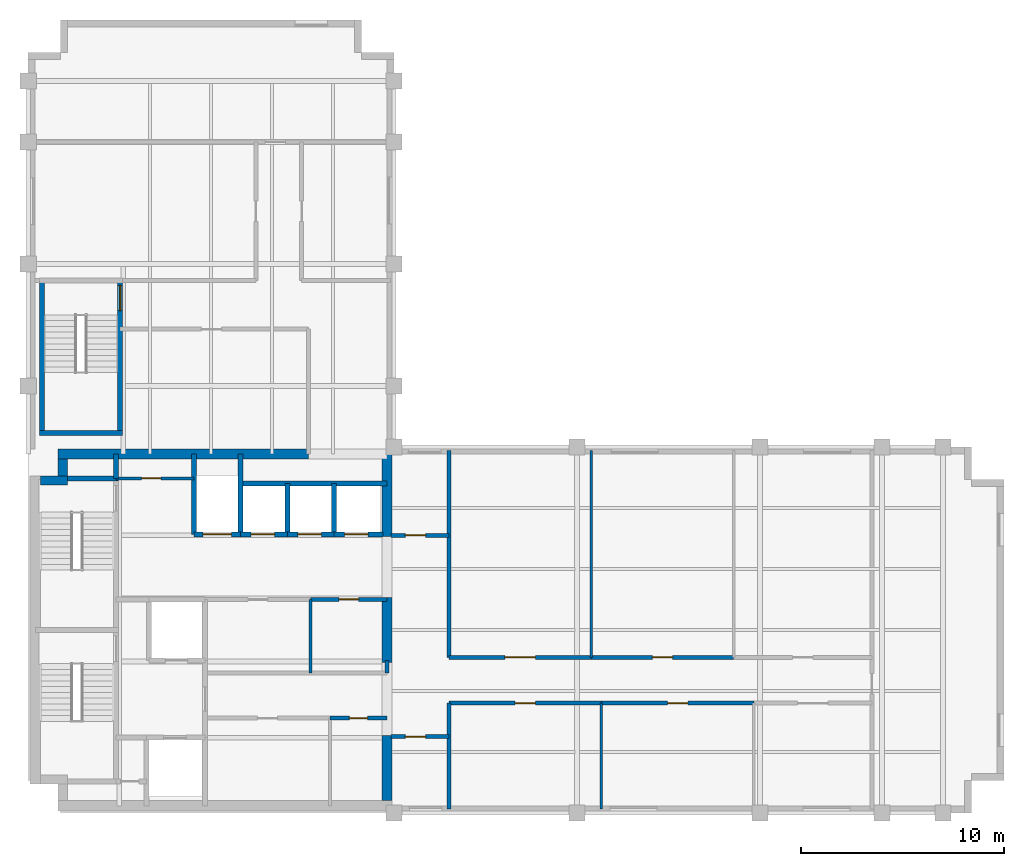
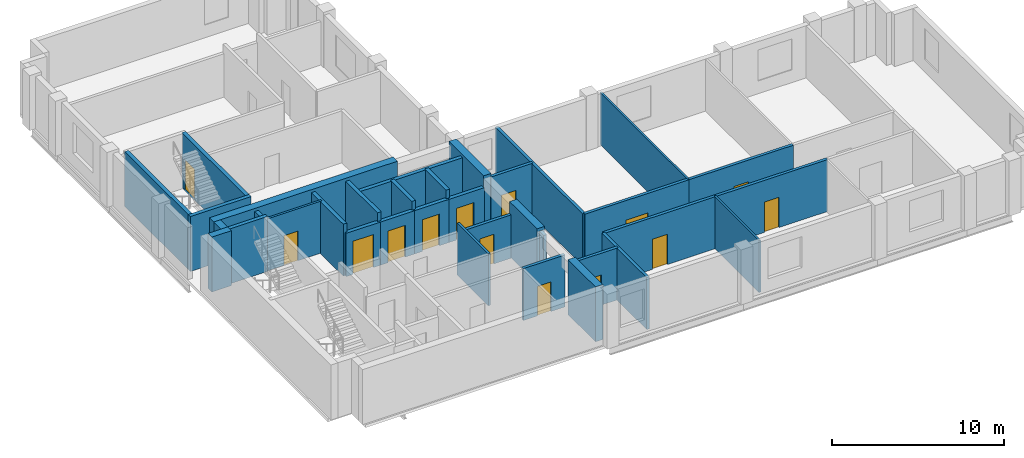
# One storey, part 3 of 6: 35 walls, 14 doors, 14 openings.
"""IFC4 building model written with IfcOpenShell, lengths in metres."""

from ifc_helpers import new_model, si_unit, direction, frame, frame_2d, origin, place, context, subcontext, project, spatial, rectangle, extrude, material, layer, layer_set, type_object, element, fill, save


model = new_model("IFC4")

# Units and contexts
model_context = context("Model", 3, precision=1e-05, world=origin(), true_north=direction((0.0, 1.0)))
body_context = subcontext(model_context, "Body", "Model", "MODEL_VIEW")
ifc_project = project(units=[si_unit("LENGTHUNIT", "METRE"), si_unit("AREAUNIT", "SQUARE_METRE"), si_unit("VOLUMEUNIT", "CUBIC_METRE"), si_unit("PLANEANGLEUNIT", "RADIAN"), si_unit("MASSUNIT", "GRAM", prefix="KILO")], contexts=[model_context])

# Site, building, storey
site_placement = place(None, origin())
site = spatial("IfcSite", under=ifc_project, at=site_placement, CompositionType="ELEMENT")
building_placement = place(site_placement, origin())
building = spatial("IfcBuilding", under=site, at=building_placement, Name="Mawjdan Bourse Tower", CompositionType="ELEMENT")
storey_placement = place(building_placement, frame((0.0, 0.0, 239.10009765625)))
storey = spatial("IfcBuildingStorey", under=building, at=storey_placement, Name="L58", CompositionType="ELEMENT", Elevation=239.10009765625)

# Wall, opening, door
ifc_material_1 = material(Name="Gypsum Fireboard Assembly")
ifc_layer_1 = layer(ifc_material_1, 0.199951171875)
ifc_layer_set_1 = layer_set([ifc_layer_1], Name="Gypsum Fireboard Assembly")
wall_type_1 = type_object("IfcWallType", Name="WL-CMP-200", PredefinedType="PARTITIONING", material=ifc_layer_set_1)
wall_1_placement = place(storey_placement, frame((20.85009765625, 7.659912109375, 0.0), z_axis=(0.0, 0.0, 1.0), x_axis=(1.0, 0.0, 0.0)))
wall_1 = element("IfcWall", 1, at=wall_1_placement, inside=storey, type_object=wall_type_1, Name="L58 Telemetry Control Room North Wall", PredefinedType="PARTITIONING", context=body_context, shape_type="SweptSolid", body=[
    extrude(rectangle(XDim=2.7998046875, YDim=0.199951171875, at=frame_2d((1.39990234375, 0.0))), origin(), (0.0, 0.0, 1.0), 3.68994140625),
])
opening_1_placement = place(wall_1_placement, frame((0.949951171875, 0.0, 0.0)))
opening_1 = element("IfcOpeningElement", 2, at=opening_1_placement, cuts=wall_1, Name="Opening D-L58-14", PredefinedType="OPENING", context=body_context, shape_type="SweptSolid", body=[
    extrude(rectangle(XDim=0.89990234375, YDim=2.10009765625, at=frame_2d((0.449951171875, 1.050048828125))), frame((0.0, 0.10986328125, 0.0), z_axis=(0.0, -1.0, 0.0), x_axis=(1.0, 0.0, 0.0)), (0.0, 0.0, 1.0), 0.219970703125),
])
ifc_material_2 = material(Name="Fire-Rated Steel Access Leaf", Category="steel")
door_type_1 = type_object("IfcDoorType", Name="FD-RSR-0900", OperationType="NOTDEFINED", PredefinedType="TRAPDOOR", material=ifc_material_2)
door_1_placement = place(opening_1_placement, origin())
door_1 = element("IfcDoor", 3, at=door_1_placement, inside=storey, type_object=door_type_1, Name="L58 Telemetry Control Room Door D-L58-14", OperationType="SINGLE_SWING_RIGHT", OverallHeight=2.10009765625, OverallWidth=0.89990234375, PredefinedType="TRAPDOOR", context=body_context, shape_type="SweptSolid", body=[
    extrude(rectangle(XDim=0.89990234375, YDim=2.10009765625, at=frame_2d((0.449951171875, 1.050048828125))), frame((0.0, 0.02490234375, 0.0), z_axis=(0.0, -1.0, 0.0), x_axis=(1.0, 0.0, 0.0)), (0.0, 0.0, 1.0), 0.050048828125),
])
fill(opening_1, door_1)

# Wall
wall_2_placement = place(storey_placement, frame((23.64990234375, 9.8798828125, 0.0), z_axis=(0.0, 0.0, 1.0), x_axis=(0.0, 1.0, 0.0)))
element("IfcWall", 4, at=wall_2_placement, inside=storey, type_object=wall_type_1, Name="L58 Core Restroom East Return", PredefinedType="PARTITIONING", context=body_context, shape_type="SweptSolid", body=[
    extrude(rectangle(XDim=0.6201171875, YDim=0.199951171875, at=frame_2d((0.31005859375, 0.0))), origin(), (0.0, 0.0, 1.0), 3.68994140625),
])

# Wall, opening, door
wall_3_placement = place(storey_placement, frame((19.89990234375, 13.5, 0.0), z_axis=(0.0, 0.0, 1.0), x_axis=(1.0, 0.0, 0.0)))
wall_3 = element("IfcWall", 5, at=wall_3_placement, inside=storey, type_object=wall_type_1, Name="L58 Staff Wellness & Quiet Room North Wall", PredefinedType="PARTITIONING", context=body_context, shape_type="SweptSolid", body=[
    extrude(rectangle(XDim=3.75, YDim=0.199951171875, at=frame_2d((1.875, 0.0))), origin(), (0.0, 0.0, 1.0), 3.072998046875),
])
opening_2_placement = place(wall_3_placement, frame((1.39990234375, 0.0, 0.0)))
opening_2 = element("IfcOpeningElement", 6, at=opening_2_placement, cuts=wall_3, Name="Opening D-L58-16", PredefinedType="OPENING", context=body_context, shape_type="SweptSolid", body=[
    extrude(rectangle(XDim=0.949951171875, YDim=2.10009765625, at=frame_2d((0.47509765625, 1.050048828125))), frame((0.0, 0.10986328125, 0.0), z_axis=(0.0, -1.0, 0.0), x_axis=(1.0, 0.0, 0.0)), (0.0, 0.0, 1.0), 0.219970703125),
])
ifc_material_3 = material(Name="Moisture-Resistant Laminate Timber", Category="wood")
door_type_2 = type_object("IfcDoorType", Name="DR-WET-0950", OperationType="NOTDEFINED", PredefinedType="DOOR", material=ifc_material_3)
door_2_placement = place(opening_2_placement, origin())
door_2 = element("IfcDoor", 7, at=door_2_placement, inside=storey, type_object=door_type_2, Name="L58 Staff Wellness & Quiet Room Door D-L58-16", OperationType="SINGLE_SWING_RIGHT", OverallHeight=2.10009765625, OverallWidth=0.949951171875, PredefinedType="DOOR", context=body_context, shape_type="SweptSolid", body=[
    extrude(rectangle(XDim=0.949951171875, YDim=2.10009765625, at=frame_2d((0.47509765625, 1.050048828125))), frame((0.0, 0.02490234375, 0.0), z_axis=(0.0, -1.0, 0.0), x_axis=(1.0, 0.0, 0.0)), (0.0, 0.0, 1.0), 0.050048828125),
])
fill(opening_2, door_2)

wall_4_placement = place(storey_placement, frame((23.85009765625, 6.75, 0.0), z_axis=(0.0, 0.0, 1.0), x_axis=(1.0, 0.0, 0.0)))
wall_4 = element("IfcWall", 8, at=wall_4_placement, inside=storey, type_object=wall_type_1, Name="L58 West Pocket North Wall", PredefinedType="PARTITIONING", context=body_context, shape_type="SweptSolid", body=[
    extrude(rectangle(XDim=2.849853515625, YDim=0.199951171875, at=frame_2d((1.4248046875, 0.0))), origin(), (0.0, 0.0, 1.0), 3.68994140625),
])
opening_3_placement = place(wall_4_placement, frame((0.699951171875, 0.0, 0.0)))
opening_3 = element("IfcOpeningElement", 9, at=opening_3_placement, cuts=wall_4, Name="Opening D-L58-19", PredefinedType="OPENING", context=body_context, shape_type="SweptSolid", body=[
    extrude(rectangle(XDim=1.0, YDim=2.14990234375, at=frame_2d((0.5, 1.074951171875))), frame((0.0, 0.10986328125, 0.0), z_axis=(0.0, -1.0, 0.0), x_axis=(1.0, 0.0, 0.0)), (0.0, 0.0, 1.0), 0.219970703125),
])
ifc_material_4 = material(Name="Hardwood Acoustic Leaf", Category="wood")
door_type_3 = type_object("IfcDoorType", Name="DR-OFC-1000", OperationType="NOTDEFINED", PredefinedType="DOOR", material=ifc_material_4)
door_3_placement = place(opening_3_placement, origin())
door_3 = element("IfcDoor", 10, at=door_3_placement, inside=storey, type_object=door_type_3, Name="L58 West Pocket Office Door D-L58-19", OperationType="SINGLE_SWING_LEFT", OverallHeight=2.14990234375, OverallWidth=1.0, PredefinedType="DOOR", context=body_context, shape_type="SweptSolid", body=[
    extrude(rectangle(XDim=1.0, YDim=2.14990234375, at=frame_2d((0.5, 1.074951171875))), frame((0.0, 0.02490234375, 0.0), z_axis=(0.0, -1.0, 0.0), x_axis=(1.0, 0.0, 0.0)), (0.0, 0.0, 1.0), 0.050048828125),
])
fill(opening_3, door_3)

wall_5_placement = place(storey_placement, frame((23.85009765625, 16.64990234375, 0.0), z_axis=(0.0, 0.0, 1.0), x_axis=(1.0, 0.0, 0.0)))
wall_5 = element("IfcWall", 11, at=wall_5_placement, inside=storey, type_object=wall_type_1, Name="L58 West North Pocket Wall", PredefinedType="PARTITIONING", context=body_context, shape_type="SweptSolid", body=[
    extrude(rectangle(XDim=2.849853515625, YDim=0.199951171875, at=frame_2d((1.4248046875, 0.0))), origin(), (0.0, 0.0, 1.0), 3.68994140625),
])
opening_4_placement = place(wall_5_placement, frame((0.699951171875, 0.0, 0.0)))
opening_4 = element("IfcOpeningElement", 12, at=opening_4_placement, cuts=wall_5, Name="Opening D-L58-20", PredefinedType="OPENING", context=body_context, shape_type="SweptSolid", body=[
    extrude(rectangle(XDim=1.0, YDim=2.14990234375, at=frame_2d((0.5, 1.074951171875))), frame((0.0, 0.10986328125, 0.0), z_axis=(0.0, -1.0, 0.0), x_axis=(1.0, 0.0, 0.0)), (0.0, 0.0, 1.0), 0.219970703125),
])
door_4_placement = place(opening_4_placement, origin())
door_4 = element("IfcDoor", 13, at=door_4_placement, inside=storey, type_object=door_type_3, Name="L58 West North Pocket Door D-L58-20", OperationType="SINGLE_SWING_RIGHT", OverallHeight=2.14990234375, OverallWidth=1.0, PredefinedType="DOOR", context=body_context, shape_type="SweptSolid", body=[
    extrude(rectangle(XDim=1.0, YDim=2.14990234375, at=frame_2d((0.5, 1.074951171875))), frame((0.0, 0.02490234375, 0.0), z_axis=(0.0, -1.0, 0.0), x_axis=(1.0, 0.0, 0.0)), (0.0, 0.0, 1.0), 0.050048828125),
])
fill(opening_4, door_4)

# Walls
wall_6_placement = place(storey_placement, frame((26.699951171875, 3.179931640625, 0.0), z_axis=(0.0, 0.0, 1.0), x_axis=(0.0, 1.0, 0.0)))
element("IfcWall", 14, at=wall_6_placement, inside=storey, type_object=wall_type_1, Name="L58 Vestibule South East Wall", PredefinedType="PARTITIONING", context=body_context, shape_type="SweptSolid", body=[
    extrude(rectangle(XDim=5.219970703125, YDim=0.199951171875, at=frame_2d((2.60986328125, 0.0))), origin(), (0.0, 0.0, 1.0), 3.68994140625),
])
wall_7_placement = place(storey_placement, frame((26.699951171875, 10.64990234375, 0.0), z_axis=(0.0, 0.0, 1.0), x_axis=(0.0, 1.0, 0.0)))
element("IfcWall", 15, at=wall_7_placement, inside=storey, type_object=wall_type_1, Name="L58 Vestibule North East Wall", PredefinedType="PARTITIONING", context=body_context, shape_type="SweptSolid", body=[
    extrude(rectangle(XDim=10.170166015625, YDim=0.199951171875, at=frame_2d((5.0849609375, 0.0))), origin(), (0.0, 0.0, 1.0), 3.68994140625),
])

# Wall, opening, door
wall_8_placement = place(storey_placement, frame((26.699951171875, 8.39990234375, 0.0), z_axis=(0.0, 0.0, 1.0), x_axis=(1.0, 0.0, 0.0)))
wall_8 = element("IfcWall", 16, at=wall_8_placement, inside=storey, type_object=wall_type_1, Name="L58 Private Equity Suite Corridor Wall", PredefinedType="PARTITIONING", context=body_context, shape_type="SweptSolid", body=[
    extrude(rectangle(XDim=7.5, YDim=0.199951171875, at=frame_2d((3.75, 0.0))), origin(), (0.0, 0.0, 1.0), 3.68994140625),
])
opening_5_placement = place(wall_8_placement, frame((3.25, 0.0, 0.0)))
opening_5 = element("IfcOpeningElement", 17, at=opening_5_placement, cuts=wall_8, Name="Opening D-L58-21", PredefinedType="OPENING", context=body_context, shape_type="SweptSolid", body=[
    extrude(rectangle(XDim=1.0, YDim=2.14990234375, at=frame_2d((0.5, 1.074951171875))), frame((0.0, 0.10986328125, 0.0), z_axis=(0.0, -1.0, 0.0), x_axis=(1.0, 0.0, 0.0)), (0.0, 0.0, 1.0), 0.219970703125),
])
door_5_placement = place(opening_5_placement, origin())
door_5 = element("IfcDoor", 18, at=door_5_placement, inside=storey, type_object=door_type_3, Name="L58 Private Equity Suite Door D-L58-21", OperationType="SINGLE_SWING_LEFT", OverallHeight=2.14990234375, OverallWidth=1.0, PredefinedType="DOOR", context=body_context, shape_type="SweptSolid", body=[
    extrude(rectangle(XDim=1.0, YDim=2.14990234375, at=frame_2d((0.5, 1.074951171875))), frame((0.0, 0.02490234375, 0.0), z_axis=(0.0, -1.0, 0.0), x_axis=(1.0, 0.0, 0.0)), (0.0, 0.0, 1.0), 0.050048828125),
])
fill(opening_5, door_5)

wall_9_placement = place(storey_placement, frame((34.199951171875, 8.39990234375, 0.0), z_axis=(0.0, 0.0, 1.0), x_axis=(1.0, 0.0, 0.0)))
wall_9 = element("IfcWall", 19, at=wall_9_placement, inside=storey, type_object=wall_type_1, Name="L58 Executive Office Corridor Wall", PredefinedType="PARTITIONING", context=body_context, shape_type="SweptSolid", body=[
    extrude(rectangle(XDim=7.5, YDim=0.199951171875, at=frame_2d((3.75, 0.0))), origin(), (0.0, 0.0, 1.0), 3.68994140625),
])
opening_6_placement = place(wall_9_placement, frame((3.25, 0.0, 0.0)))
opening_6 = element("IfcOpeningElement", 20, at=opening_6_placement, cuts=wall_9, Name="Opening D-L58-22", PredefinedType="OPENING", context=body_context, shape_type="SweptSolid", body=[
    extrude(rectangle(XDim=1.0, YDim=2.14990234375, at=frame_2d((0.5, 1.074951171875))), frame((0.0, 0.10986328125, 0.0), z_axis=(0.0, -1.0, 0.0), x_axis=(1.0, 0.0, 0.0)), (0.0, 0.0, 1.0), 0.219970703125),
])
door_6_placement = place(opening_6_placement, origin())
door_6 = element("IfcDoor", 21, at=door_6_placement, inside=storey, type_object=door_type_3, Name="L58 Executive Office Door D-L58-22", OperationType="SINGLE_SWING_RIGHT", OverallHeight=2.14990234375, OverallWidth=1.0, PredefinedType="DOOR", context=body_context, shape_type="SweptSolid", body=[
    extrude(rectangle(XDim=1.0, YDim=2.14990234375, at=frame_2d((0.5, 1.074951171875))), frame((0.0, 0.02490234375, 0.0), z_axis=(0.0, -1.0, 0.0), x_axis=(1.0, 0.0, 0.0)), (0.0, 0.0, 1.0), 0.050048828125),
])
fill(opening_6, door_6)

wall_10_placement = place(storey_placement, frame((26.699951171875, 10.64990234375, 0.0), z_axis=(0.0, 0.0, 1.0), x_axis=(1.0, 0.0, 0.0)))
wall_10 = element("IfcWall", 22, at=wall_10_placement, inside=storey, type_object=wall_type_1, Name="L58 Conference Room Corridor Wall", PredefinedType="PARTITIONING", context=body_context, shape_type="SweptSolid", body=[
    extrude(rectangle(XDim=7.0, YDim=0.199951171875, at=frame_2d((3.5, 0.0))), origin(), (0.0, 0.0, 1.0), 3.68994140625),
])
opening_7_placement = place(wall_10_placement, frame((2.75, 0.0, 0.0)))
opening_7 = element("IfcOpeningElement", 23, at=opening_7_placement, cuts=wall_10, Name="Opening D-L58-24", PredefinedType="OPENING", context=body_context, shape_type="SweptSolid", body=[
    extrude(rectangle(XDim=1.5, YDim=2.300048828125, at=frame_2d((0.75, 1.14990234375))), frame((0.0, 0.10986328125, 0.0), z_axis=(0.0, -1.0, 0.0), x_axis=(1.0, 0.0, 0.0)), (0.0, 0.0, 1.0), 0.219970703125),
])
ifc_material_5 = material(Name="Acoustic Glazed Timber", Category="wood")
door_type_4 = type_object("IfcDoorType", Name="DR-CNF-1500", OperationType="DOUBLE_DOOR_SINGLE_SWING", PredefinedType="DOOR", material=ifc_material_5)
door_7_placement = place(opening_7_placement, origin())
door_7 = element("IfcDoor", 24, at=door_7_placement, inside=storey, type_object=door_type_4, Name="L58 Conference Room Door D-L58-24", OperationType="DOUBLE_DOOR_SINGLE_SWING", OverallHeight=2.300048828125, OverallWidth=1.5, PredefinedType="DOOR", context=body_context, shape_type="SweptSolid", body=[
    extrude(rectangle(XDim=1.5, YDim=2.300048828125, at=frame_2d((0.75, 1.14990234375))), frame((0.0, 0.02490234375, 0.0), z_axis=(0.0, -1.0, 0.0), x_axis=(1.0, 0.0, 0.0)), (0.0, 0.0, 1.0), 0.050048828125),
])
fill(opening_7, door_7)

wall_11_placement = place(storey_placement, frame((33.699951171875, 10.64990234375, 0.0), z_axis=(0.0, 0.0, 1.0), x_axis=(1.0, 0.0, 0.0)))
wall_11 = element("IfcWall", 25, at=wall_11_placement, inside=storey, type_object=wall_type_1, Name="L58 Venture Research Office Corridor Wall", PredefinedType="PARTITIONING", context=body_context, shape_type="SweptSolid", body=[
    extrude(rectangle(XDim=7.0, YDim=0.199951171875, at=frame_2d((3.5, 0.0))), origin(), (0.0, 0.0, 1.0), 3.68994140625),
])
opening_8_placement = place(wall_11_placement, frame((3.0, 0.0, 0.0)))
opening_8 = element("IfcOpeningElement", 26, at=opening_8_placement, cuts=wall_11, Name="Opening D-L58-25", PredefinedType="OPENING", context=body_context, shape_type="SweptSolid", body=[
    extrude(rectangle(XDim=1.0, YDim=2.14990234375, at=frame_2d((0.5, 1.074951171875))), frame((0.0, 0.10986328125, 0.0), z_axis=(0.0, -1.0, 0.0), x_axis=(1.0, 0.0, 0.0)), (0.0, 0.0, 1.0), 0.219970703125),
])
door_8_placement = place(opening_8_placement, origin())
door_8 = element("IfcDoor", 27, at=door_8_placement, inside=storey, type_object=door_type_3, Name="L58 Venture Research Office Door D-L58-25", OperationType="SINGLE_SWING_LEFT", OverallHeight=2.14990234375, OverallWidth=1.0, PredefinedType="DOOR", context=body_context, shape_type="SweptSolid", body=[
    extrude(rectangle(XDim=1.0, YDim=2.14990234375, at=frame_2d((0.5, 1.074951171875))), frame((0.0, 0.02490234375, 0.0), z_axis=(0.0, -1.0, 0.0), x_axis=(1.0, 0.0, 0.0)), (0.0, 0.0, 1.0), 0.050048828125),
])
fill(opening_8, door_8)

# Walls
ifc_material_6 = material(Name="Concrete C60/75", Category="concrete")
ifc_layer_2 = layer(ifc_material_6, 0.449951171875)
ifc_layer_set_2 = layer_set([ifc_layer_2], Name="Concrete C60/75")
wall_type_2 = type_object("IfcWallType", Name="WL-CORE-450", PredefinedType="SHEAR", material=ifc_layer_set_2)
wall_12_placement = place(storey_placement, frame((6.60009765625, 19.35009765625, 0.0), z_axis=(0.0, 0.0, 1.0), x_axis=(1.0, 0.0, 0.0)))
element("IfcWall", 28, at=wall_12_placement, inside=storey, type_object=wall_type_2, Name="L58 Rear Core Shear Wall NW-X", PredefinedType="SHEAR", context=body_context, shape_type="SweptSolid", body=[
    extrude(rectangle(XDim=1.324951171875, YDim=0.449951171875, at=frame_2d((0.66259765625, 0.0))), origin(), (0.0, 0.0, 1.0), 3.89990234375),
])
wall_13_placement = place(storey_placement, frame((7.699951171875, 19.574951171875, 0.0), z_axis=(0.0, 0.0, 1.0), x_axis=(0.0, 1.0, 0.0)))
element("IfcWall", 29, at=wall_13_placement, inside=storey, type_object=wall_type_2, Name="L58 Rear Core Shear Wall NW-Y", PredefinedType="SHEAR", context=body_context, shape_type="SweptSolid", body=[
    extrude(rectangle(XDim=0.824951171875, YDim=0.449951171875, at=frame_2d((0.41259765625, 0.0))), origin(), (0.0, 0.0, 1.0), 3.89990234375),
])
ifc_layer_3 = layer(ifc_material_6, 0.5)
ifc_layer_set_3 = layer_set([ifc_layer_3], Name="Concrete C60/75")
wall_type_3 = type_object("IfcWallType", Name="WL-CORE-500", PredefinedType="SHEAR", material=ifc_layer_set_3)
wall_14_placement = place(storey_placement, frame((7.47509765625, 20.64990234375, 0.0), z_axis=(0.0, 0.0, 1.0), x_axis=(1.0, 0.0, 0.0)))
element("IfcWall", 30, at=wall_14_placement, inside=storey, type_object=wall_type_3, Name="L58 Rear Core Shear Wall N", PredefinedType="SHEAR", context=body_context, shape_type="SweptSolid", body=[
    extrude(rectangle(XDim=12.324951171875, YDim=0.5, at=frame_2d((6.16259765625, 0.0))), origin(), (0.0, 0.0, 1.0), 3.89990234375),
])
wall_15_placement = place(storey_placement, frame((23.64990234375, 3.60009765625, 0.0), z_axis=(0.0, 0.0, 1.0), x_axis=(0.0, 1.0, 0.0)))
element("IfcWall", 31, at=wall_15_placement, inside=storey, type_object=wall_type_3, Name="L58 Rear Core Shear Wall E1", PredefinedType="SHEAR", context=body_context, shape_type="SweptSolid", body=[
    extrude(rectangle(XDim=3.199951171875, YDim=0.5, at=frame_2d((1.60009765625, 0.0))), origin(), (0.0, 0.0, 1.0), 3.89990234375),
])
wall_16_placement = place(storey_placement, frame((23.64990234375, 10.39990234375, 0.0), z_axis=(0.0, 0.0, 1.0), x_axis=(0.0, 1.0, 0.0)))
element("IfcWall", 32, at=wall_16_placement, inside=storey, type_object=wall_type_3, Name="L58 Rear Core Shear Wall E2", PredefinedType="SHEAR", context=body_context, shape_type="SweptSolid", body=[
    extrude(rectangle(XDim=3.2001953125, YDim=0.5, at=frame_2d((1.60009765625, 0.0))), origin(), (0.0, 0.0, 1.0), 3.89990234375),
])
wall_17_placement = place(storey_placement, frame((23.64990234375, 16.60009765625, 0.0), z_axis=(0.0, 0.0, 1.0), x_axis=(0.0, 1.0, 0.0)))
element("IfcWall", 33, at=wall_17_placement, inside=storey, type_object=wall_type_3, Name="L58 Rear Core Shear Wall E3", PredefinedType="SHEAR", context=body_context, shape_type="SweptSolid", body=[
    extrude(rectangle(XDim=4.0498046875, YDim=0.5, at=frame_2d((2.02490234375, 0.0))), origin(), (0.0, 0.0, 1.0), 3.89990234375),
])
ifc_material_7 = material(Name="Gypsum Partition")
ifc_layer_4 = layer(ifc_material_7, 0.125)
ifc_layer_set_4 = layer_set([ifc_layer_4], Name="Gypsum Partition")
wall_type_4 = type_object("IfcWallType", Name="WL-PRT-125", PredefinedType="PARTITIONING", material=ifc_layer_set_4)
wall_18_placement = place(storey_placement, frame((34.199951171875, 3.179931640625, 0.0), z_axis=(0.0, 0.0, 1.0), x_axis=(0.0, 1.0, 0.0)))
element("IfcWall", 34, at=wall_18_placement, inside=storey, type_object=wall_type_4, Name="L58 Executive Office Partition", PredefinedType="PARTITIONING", context=body_context, shape_type="SweptSolid", body=[
    extrude(rectangle(XDim=5.219970703125, YDim=0.125, at=frame_2d((2.60986328125, 0.0))), origin(), (0.0, 0.0, 1.0), 3.68994140625),
])
wall_19_placement = place(storey_placement, frame((33.699951171875, 10.64990234375, 0.0), z_axis=(0.0, 0.0, 1.0), x_axis=(0.0, 1.0, 0.0)))
element("IfcWall", 35, at=wall_19_placement, inside=storey, type_object=wall_type_4, Name="L58 Venture Research Office Partition", PredefinedType="PARTITIONING", context=body_context, shape_type="SweptSolid", body=[
    extrude(rectangle(XDim=10.170166015625, YDim=0.125, at=frame_2d((5.0849609375, 0.0))), origin(), (0.0, 0.0, 1.0), 3.68994140625),
])
ifc_material_8 = material(Name="Gypsum Acoustic Partition")
ifc_layer_5 = layer(ifc_material_8, 0.14990234375)
ifc_layer_set_5 = layer_set([ifc_layer_5], Name="Gypsum Acoustic Partition")
wall_type_5 = type_object("IfcWallType", Name="WL-PRT-150", PredefinedType="PARTITIONING", material=ifc_layer_set_5)
wall_20_placement = place(storey_placement, frame((19.89990234375, 9.8798828125, 0.0), z_axis=(0.0, 0.0, 1.0), x_axis=(0.0, 1.0, 0.0)))
element("IfcWall", 36, at=wall_20_placement, inside=storey, type_object=wall_type_5, Name="L58 Staff Wellness & Quiet Room Split Wall", PredefinedType="PARTITIONING", context=body_context, shape_type="SweptSolid", body=[
    extrude(rectangle(XDim=3.6201171875, YDim=0.14990234375, at=frame_2d((1.81005859375, 0.0))), origin(), (0.0, 0.0, 1.0), 3.68994140625),
])

# Wall, opening, door
wall_21_placement = place(storey_placement, frame((10.330078125, 19.449951171875, 0.0), z_axis=(0.0, 0.0, 1.0), x_axis=(1.0, 0.0, 0.0)))
wall_21 = element("IfcWall", 37, at=wall_21_placement, inside=storey, type_object=wall_type_5, Name="L58 Housekeeping South Wall", PredefinedType="PARTITIONING", context=body_context, shape_type="SweptSolid", body=[
    extrude(rectangle(XDim=3.81982421875, YDim=0.14990234375, at=frame_2d((1.909912109375, 0.0))), origin(), (0.0, 0.0, 1.0), 3.68994140625),
])
opening_9_placement = place(wall_21_placement, frame((1.25, 0.0, 0.0)))
opening_9 = element("IfcOpeningElement", 38, at=opening_9_placement, cuts=wall_21, Name="Opening D-L58-17", PredefinedType="OPENING", context=body_context, shape_type="SweptSolid", body=[
    extrude(rectangle(XDim=0.949951171875, YDim=2.10009765625, at=frame_2d((0.47509765625, 1.050048828125))), frame((0.0, 0.0849609375, 0.0), z_axis=(0.0, -1.0, 0.0), x_axis=(1.0, 0.0, 0.0)), (0.0, 0.0, 1.0), 0.169921875),
])
door_9_placement = place(opening_9_placement, origin())
door_9 = element("IfcDoor", 39, at=door_9_placement, inside=storey, type_object=door_type_2, Name="L58 Housekeeping Closet Door D-L58-17", OperationType="SINGLE_SWING_LEFT", OverallHeight=2.10009765625, OverallWidth=0.949951171875, PredefinedType="DOOR", context=body_context, shape_type="SweptSolid", body=[
    extrude(rectangle(XDim=0.949951171875, YDim=2.10009765625, at=frame_2d((0.47509765625, 1.050048828125))), frame((0.0, 0.02490234375, 0.0), z_axis=(0.0, -1.0, 0.0), x_axis=(1.0, 0.0, 0.0)), (0.0, 0.0, 1.0), 0.050048828125),
])
fill(opening_9, door_9)

# Wall
ifc_material_9 = material(Name="Concrete C50/60", Category="concrete")
ifc_layer_6 = layer(ifc_material_9, 0.25)
ifc_layer_set_6 = layer_set([ifc_layer_6], Name="Concrete C50/60")
wall_type_6 = type_object("IfcWallType", Name="WL-SHFT-250", PredefinedType="PARTITIONING", material=ifc_layer_set_6)
wall_22_placement = place(storey_placement, frame((10.330078125, 19.449951171875, 0.0), z_axis=(0.0, 0.0, 1.0), x_axis=(0.0, 1.0, 0.0)))
element("IfcWall", 40, at=wall_22_placement, inside=storey, type_object=wall_type_6, Name="L58 NW Riser East Wall", PredefinedType="PARTITIONING", context=body_context, shape_type="SweptSolid", body=[
    extrude(rectangle(XDim=1.199951171875, YDim=0.25, at=frame_2d((0.60009765625, 0.0))), origin(), (0.0, 0.0, 1.0), 3.68994140625),
])

# Wall, opening, door
wall_23_placement = place(storey_placement, frame((14.14990234375, 16.699951171875, 0.0), z_axis=(0.0, 0.0, 1.0), x_axis=(1.0, 0.0, 0.0)))
wall_23 = element("IfcWall", 41, at=wall_23_placement, inside=storey, type_object=wall_type_6, Name="L58 SVL-01 Front Shaft Wall", PredefinedType="PARTITIONING", context=body_context, shape_type="SweptSolid", body=[
    extrude(rectangle(XDim=2.300048828125, YDim=0.25, at=frame_2d((1.14990234375, 0.0))), origin(), (0.0, 0.0, 1.0), 3.072998046875),
])
opening_10_placement = place(wall_23_placement, frame((0.449951171875, 0.0, 0.0)))
opening_10 = element("IfcOpeningElement", 42, at=opening_10_placement, cuts=wall_23, Name="Opening LD-L58-09", PredefinedType="OPENING", context=body_context, shape_type="SweptSolid", body=[
    extrude(rectangle(XDim=1.39990234375, YDim=2.35009765625, at=frame_2d((0.699951171875, 1.175048828125))), frame((0.0, 0.135009765625, 0.0), z_axis=(0.0, -1.0, 0.0), x_axis=(1.0, 0.0, 0.0)), (0.0, 0.0, 1.0), 0.27001953125),
])
ifc_material_10 = material(Name="Heavy-Duty Stainless Steel", Category="steel")
door_type_5 = type_object("IfcDoorType", Name="LD-SRV-1400", OperationType="DOUBLE_DOOR_SLIDING", PredefinedType="DOOR", material=ifc_material_10)
door_10_placement = place(opening_10_placement, origin())
door_10 = element("IfcDoor", 43, at=door_10_placement, inside=storey, type_object=door_type_5, Name="L58 Service Lift SVL-01 Landing Door LD-L58-09", OperationType="DOUBLE_DOOR_SLIDING", OverallHeight=2.35009765625, OverallWidth=1.39990234375, PredefinedType="DOOR", context=body_context, shape_type="SweptSolid", body=[
    extrude(rectangle(XDim=1.39990234375, YDim=2.35009765625, at=frame_2d((0.699951171875, 1.175048828125))), frame((0.0, 0.02490234375, 0.0), z_axis=(0.0, -1.0, 0.0), x_axis=(1.0, 0.0, 0.0)), (0.0, 0.0, 1.0), 0.050048828125),
])
fill(opening_10, door_10)

# Walls
for number, where, z_axis, x_axis, name in (
    (44, (14.14990234375, 16.699951171875, 0.0), (0.0, 0.0, 1.0), (0.0, 1.0, 0.0), "L58 SVL-01 West Shaft Wall"),
    (45, (16.449951171875, 16.699951171875, 0.0), (0.0, 0.0, 1.0), (0.0, 1.0, 0.0), "L58 SVL-01 East Shaft Wall"),
):
    element("IfcWall", number, at=place(storey_placement, frame(where, z_axis=z_axis, x_axis=x_axis)), inside=storey, type_object=wall_type_6, Name=name, PredefinedType="PARTITIONING", context=body_context, shape_type="SweptSolid", body=[
        extrude(rectangle(XDim=3.949951171875, YDim=0.25, at=frame_2d((1.97509765625, 0.0))), origin(), (0.0, 0.0, 1.0), 3.68994140625),
    ])

# Wall, opening, door
wall_24_placement = place(storey_placement, frame((16.449951171875, 16.699951171875, 0.0), z_axis=(0.0, 0.0, 1.0), x_axis=(1.0, 0.0, 0.0)))
wall_24 = element("IfcWall", 46, at=wall_24_placement, inside=storey, type_object=wall_type_6, Name="L58 PH-01 Front Wall", PredefinedType="PARTITIONING", context=body_context, shape_type="SweptSolid", body=[
    extrude(rectangle(XDim=2.300048828125, YDim=0.25, at=frame_2d((1.14990234375, 0.0))), origin(), (0.0, 0.0, 1.0), 3.072998046875),
])
opening_11_placement = place(wall_24_placement, frame((0.52001953125, 0.0, 0.0)))
opening_11 = element("IfcOpeningElement", 47, at=opening_11_placement, cuts=wall_24, Name="Opening LD-L58-10", PredefinedType="OPENING", context=body_context, shape_type="SweptSolid", body=[
    extrude(rectangle(XDim=1.14990234375, YDim=2.25, at=frame_2d((0.574951171875, 1.125))), frame((0.0, 0.135009765625, 0.0), z_axis=(0.0, -1.0, 0.0), x_axis=(1.0, 0.0, 0.0)), (0.0, 0.0, 1.0), 0.27001953125),
])
ifc_material_11 = material(Name="Brushed Stainless Steel", Category="steel")
door_type_6 = type_object("IfcDoorType", Name="LD-PAS-1150", OperationType="DOUBLE_DOOR_SLIDING", PredefinedType="DOOR", material=ifc_material_11)
door_11_placement = place(opening_11_placement, origin())
door_11 = element("IfcDoor", 48, at=door_11_placement, inside=storey, type_object=door_type_6, Name="L58 Lift PH-01 Landing Door LD-L58-10", OperationType="DOUBLE_DOOR_SLIDING", OverallHeight=2.25, OverallWidth=1.14990234375, PredefinedType="DOOR", context=body_context, shape_type="SweptSolid", body=[
    extrude(rectangle(XDim=1.14990234375, YDim=2.25, at=frame_2d((0.574951171875, 1.125))), frame((0.0, 0.02490234375, 0.0), z_axis=(0.0, -1.0, 0.0), x_axis=(1.0, 0.0, 0.0)), (0.0, 0.0, 1.0), 0.050048828125),
])
fill(opening_11, door_11)

# Wall
wall_25_placement = place(storey_placement, frame((18.75, 16.699951171875, 0.0), z_axis=(0.0, 0.0, 1.0), x_axis=(0.0, 1.0, 0.0)))
element("IfcWall", 49, at=wall_25_placement, inside=storey, type_object=wall_type_6, Name="L58 PH-01 Divider Wall", PredefinedType="PARTITIONING", context=body_context, shape_type="SweptSolid", body=[
    extrude(rectangle(XDim=2.5, YDim=0.25, at=frame_2d((1.25, 0.0))), origin(), (0.0, 0.0, 1.0), 3.68994140625),
])

# Wall, opening, door
wall_26_placement = place(storey_placement, frame((18.75, 16.699951171875, 0.0), z_axis=(0.0, 0.0, 1.0), x_axis=(1.0, 0.0, 0.0)))
wall_26 = element("IfcWall", 50, at=wall_26_placement, inside=storey, type_object=wall_type_6, Name="L58 PH-02 Front Wall", PredefinedType="PARTITIONING", context=body_context, shape_type="SweptSolid", body=[
    extrude(rectangle(XDim=2.300048828125, YDim=0.25, at=frame_2d((1.14990234375, 0.0))), origin(), (0.0, 0.0, 1.0), 3.072998046875),
])
opening_12_placement = place(wall_26_placement, frame((0.52001953125, 0.0, 0.0)))
opening_12 = element("IfcOpeningElement", 51, at=opening_12_placement, cuts=wall_26, Name="Opening LD-L58-11", PredefinedType="OPENING", context=body_context, shape_type="SweptSolid", body=[
    extrude(rectangle(XDim=1.14990234375, YDim=2.25, at=frame_2d((0.574951171875, 1.125))), frame((0.0, 0.135009765625, 0.0), z_axis=(0.0, -1.0, 0.0), x_axis=(1.0, 0.0, 0.0)), (0.0, 0.0, 1.0), 0.27001953125),
])
door_12_placement = place(opening_12_placement, origin())
door_12 = element("IfcDoor", 52, at=door_12_placement, inside=storey, type_object=door_type_6, Name="L58 Lift PH-02 Landing Door LD-L58-11", OperationType="DOUBLE_DOOR_SLIDING", OverallHeight=2.25, OverallWidth=1.14990234375, PredefinedType="DOOR", context=body_context, shape_type="SweptSolid", body=[
    extrude(rectangle(XDim=1.14990234375, YDim=2.25, at=frame_2d((0.574951171875, 1.125))), frame((0.0, 0.02490234375, 0.0), z_axis=(0.0, -1.0, 0.0), x_axis=(1.0, 0.0, 0.0)), (0.0, 0.0, 1.0), 0.050048828125),
])
fill(opening_12, door_12)

# Wall
wall_27_placement = place(storey_placement, frame((21.050048828125, 16.699951171875, 0.0), z_axis=(0.0, 0.0, 1.0), x_axis=(0.0, 1.0, 0.0)))
element("IfcWall", 53, at=wall_27_placement, inside=storey, type_object=wall_type_6, Name="L58 PH-02 Divider Wall", PredefinedType="PARTITIONING", context=body_context, shape_type="SweptSolid", body=[
    extrude(rectangle(XDim=2.5, YDim=0.25, at=frame_2d((1.25, 0.0))), origin(), (0.0, 0.0, 1.0), 3.68994140625),
])

# Wall, opening, door
wall_28_placement = place(storey_placement, frame((21.050048828125, 16.699951171875, 0.0), z_axis=(0.0, 0.0, 1.0), x_axis=(1.0, 0.0, 0.0)))
wall_28 = element("IfcWall", 54, at=wall_28_placement, inside=storey, type_object=wall_type_6, Name="L58 PH-03 Front Wall", PredefinedType="PARTITIONING", context=body_context, shape_type="SweptSolid", body=[
    extrude(rectangle(XDim=2.39990234375, YDim=0.25, at=frame_2d((1.199951171875, 0.0))), origin(), (0.0, 0.0, 1.0), 3.072998046875),
])
opening_13_placement = place(wall_28_placement, frame((0.52001953125, 0.0, 0.0)))
opening_13 = element("IfcOpeningElement", 55, at=opening_13_placement, cuts=wall_28, Name="Opening LD-L58-12", PredefinedType="OPENING", context=body_context, shape_type="SweptSolid", body=[
    extrude(rectangle(XDim=1.14990234375, YDim=2.25, at=frame_2d((0.574951171875, 1.125))), frame((0.0, 0.135009765625, 0.0), z_axis=(0.0, -1.0, 0.0), x_axis=(1.0, 0.0, 0.0)), (0.0, 0.0, 1.0), 0.27001953125),
])
door_13_placement = place(opening_13_placement, origin())
door_13 = element("IfcDoor", 56, at=door_13_placement, inside=storey, type_object=door_type_6, Name="L58 Lift PH-03 Landing Door LD-L58-12", OperationType="DOUBLE_DOOR_SLIDING", OverallHeight=2.25, OverallWidth=1.14990234375, PredefinedType="DOOR", context=body_context, shape_type="SweptSolid", body=[
    extrude(rectangle(XDim=1.14990234375, YDim=2.25, at=frame_2d((0.574951171875, 1.125))), frame((0.0, 0.02490234375, 0.0), z_axis=(0.0, -1.0, 0.0), x_axis=(1.0, 0.0, 0.0)), (0.0, 0.0, 1.0), 0.050048828125),
])
fill(opening_13, door_13)

# Walls
wall_29_placement = place(storey_placement, frame((16.449951171875, 19.199951171875, 0.0), z_axis=(0.0, 0.0, 1.0), x_axis=(1.0, 0.0, 0.0)))
element("IfcWall", 57, at=wall_29_placement, inside=storey, type_object=wall_type_6, Name="L58 PH Bank North Shaft Back Wall", PredefinedType="PARTITIONING", context=body_context, shape_type="SweptSolid", body=[
    extrude(rectangle(XDim=7.199951171875, YDim=0.25, at=frame_2d((3.60009765625, 0.0))), origin(), (0.0, 0.0, 1.0), 3.68994140625),
])
ifc_layer_7 = layer(ifc_material_9, 0.25)
ifc_layer_set_7 = layer_set([ifc_layer_7], Name="Concrete C50/60")
wall_type_7 = type_object("IfcWallType", Name="WL-STRW-250", PredefinedType="SHEAR", material=ifc_layer_set_7)
wall_30_placement = place(storey_placement, frame((7.699951171875, 19.449951171875, 0.0), z_axis=(0.0, 0.0, 1.0), x_axis=(1.0, 0.0, 0.0)))
element("IfcWall", 58, at=wall_30_placement, inside=storey, type_object=wall_type_7, Name="L58 Stairwell ST2 North Shaft Wall", PredefinedType="SHEAR", context=body_context, shape_type="SweptSolid", body=[
    extrude(rectangle(XDim=2.755126953125, YDim=0.25, at=frame_2d((1.37744140625, 0.0))), origin(), (0.0, 0.0, 1.0), 3.89990234375),
])
wall_31_placement = place(storey_placement, frame((6.554931640625, 21.679931640625, 0.0), z_axis=(0.0, 0.0, 1.0), x_axis=(1.0, 0.0, 0.0)))
element("IfcWall", 59, at=wall_31_placement, inside=storey, type_object=wall_type_7, Name="L58 ST3 South Shaft Wall", PredefinedType="SHEAR", context=body_context, shape_type="SweptSolid", body=[
    extrude(rectangle(XDim=4.090087890625, YDim=0.25, at=frame_2d((2.044921875, 0.0))), origin(), (0.0, 0.0, 1.0), 3.89990234375),
])
wall_32_placement = place(storey_placement, frame((6.679931640625, 21.679931640625, 0.0), z_axis=(0.0, 0.0, 1.0), x_axis=(0.0, 1.0, 0.0)))
element("IfcWall", 60, at=wall_32_placement, inside=storey, type_object=wall_type_7, Name="L58 ST3 West Shaft Wall", PredefinedType="SHEAR", context=body_context, shape_type="SweptSolid", body=[
    extrude(rectangle(XDim=7.5, YDim=0.25, at=frame_2d((3.75, 0.0))), origin(), (0.0, 0.0, 1.0), 3.89990234375),
])

# Wall, opening, door
wall_33_placement = place(storey_placement, frame((10.52001953125, 21.679931640625, 0.0), z_axis=(0.0, 0.0, 1.0), x_axis=(0.0, 1.0, 0.0)))
wall_33 = element("IfcWall", 61, at=wall_33_placement, inside=storey, type_object=wall_type_7, Name="L58 ST3 East Shaft Wall", PredefinedType="SHEAR", context=body_context, shape_type="SweptSolid", body=[
    extrude(rectangle(XDim=7.5, YDim=0.25, at=frame_2d((3.75, 0.0))), origin(), (0.0, 0.0, 1.0), 3.89990234375),
])
opening_14_placement = place(wall_33_placement, frame((6.02001953125, 0.0, 0.0)))
opening_14 = element("IfcOpeningElement", 62, at=opening_14_placement, cuts=wall_33, Name="Opening SD-L58-18", PredefinedType="OPENING", context=body_context, shape_type="SweptSolid", body=[
    extrude(rectangle(XDim=1.25, YDim=2.199951171875, at=frame_2d((0.625, 1.10009765625))), frame((0.0, 0.135009765625, 0.0), z_axis=(0.0, -1.0, 0.0), x_axis=(1.0, 0.0, 0.0)), (0.0, 0.0, 1.0), 0.27001953125),
])
ifc_material_12 = material(Name="Fire-Rated Steel Leaf", Category="steel")
door_type_7 = type_object("IfcDoorType", Name="FD-ST-1250", OperationType="NOTDEFINED", PredefinedType="DOOR", material=ifc_material_12)
door_14_placement = place(opening_14_placement, origin())
door_14 = element("IfcDoor", 63, at=door_14_placement, inside=storey, type_object=door_type_7, Name="L58 Stair ST3 Fire Door SD-L58-18", OperationType="SINGLE_SWING_RIGHT", OverallHeight=2.199951171875, OverallWidth=1.25, PredefinedType="DOOR", context=body_context, shape_type="SweptSolid", body=[
    extrude(rectangle(XDim=1.25, YDim=2.199951171875, at=frame_2d((0.625, 1.10009765625))), frame((0.0, 0.02490234375, 0.0), z_axis=(0.0, -1.0, 0.0), x_axis=(1.0, 0.0, 0.0)), (0.0, 0.0, 1.0), 0.050048828125),
])
fill(opening_14, door_14)

save(model, "model.ifc")
